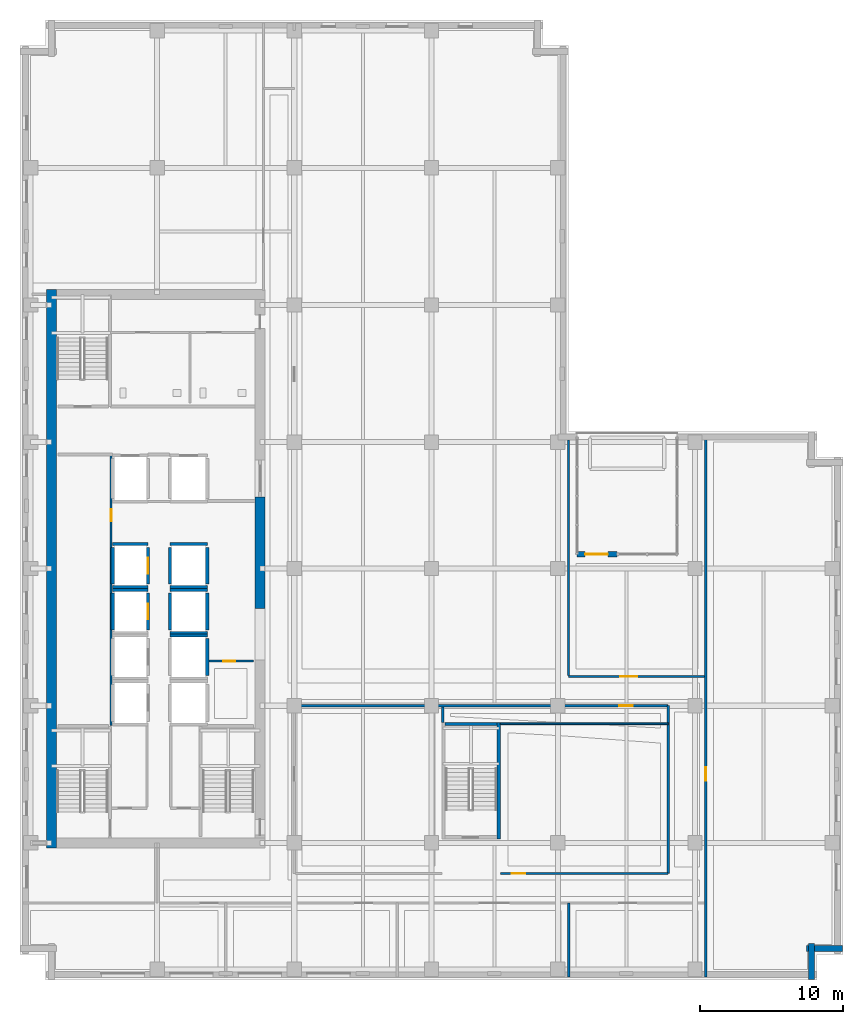
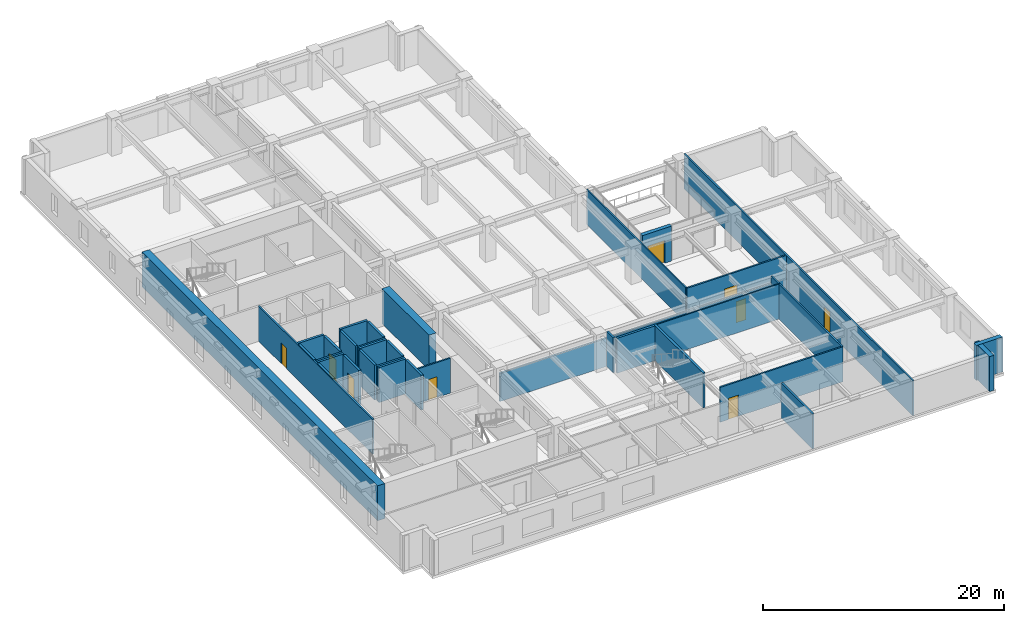
# One storey, part 5 of 16: 35 walls, 9 doors, 9 openings.
"""IFC4 building model written with IfcOpenShell, lengths in metres."""

import ifcopenshell
import ifcopenshell.guid

model = None  # the IFC model being written
_history = None  # IfcOwnerHistory: only IFC2X3 demands one
_inside = {}  # id of a spatial element -> (the spatial element, [elements in it])
_under = {}  # id of a project, library or spatial element -> (it, [spatial elements below it])
_declared = {}  # id of a project -> (the project, [libraries it declares])
_typed = {}  # id of a type object -> (the type object, [elements of that type])
_made_of = {}  # id of a material, layer set ... -> (it, [elements and type objects made of it])


def new_model(schema):
    """Start an empty IFC model of exactly this schema.

    Asked for "IFC4X3", IfcOpenShell would pick the latest addendum, in which some entities
    have other attributes; the version numbers below select the first issue.
    IFC2X3 requires an IfcOwnerHistory on every rooted entity: one is made here for all.
    """
    global model, _history
    if schema == "IFC4X3":
        model = ifcopenshell.file(schema_version=(4, 3, 0, 0))
    else:
        model = ifcopenshell.file(schema=schema)
    _inside.clear()
    _under.clear()
    _declared.clear()
    _typed.clear()
    _made_of.clear()
    _history = None
    if model.schema == "IFC2X3":
        org = make("IfcOrganization", Name="unknown")
        user = make(
            "IfcPersonAndOrganization",
            ThePerson=make("IfcPerson", FamilyName="unknown"),
            TheOrganization=org,
        )
        app = make(
            "IfcApplication",
            ApplicationDeveloper=org,
            Version="unknown",
            ApplicationFullName="unknown",
            ApplicationIdentifier="unknown",
        )
        _history = make(
            "IfcOwnerHistory",
            OwningUser=user,
            OwningApplication=app,
            ChangeAction="ADDED",
            CreationDate=0,
        )
    return model


def make(cls, **values):
    """One entity of the class cls with the attributes given. An attribute that is None is left unset."""
    return model.create_entity(
        cls, **{name: value for name, value in values.items() if value is not None}
    )


def rooted(cls, **values):
    """An entity with a GlobalId (a new one), such as an element, a storey or a relation."""
    return make(cls, GlobalId=ifcopenshell.guid.new(), OwnerHistory=_history, **values)


def si_unit(unit_type, name, prefix=None):
    """IfcSIUnit, for example si_unit("LENGTHUNIT", "METRE", prefix="MILLI")."""
    return make("IfcSIUnit", UnitType=unit_type, Prefix=prefix, Name=name)


def assignment(units):
    """IfcUnitAssignment: the units of a project."""
    return None if units is None else make("IfcUnitAssignment", Units=units)


def point(xyz):
    """IfcCartesianPoint."""
    return None if xyz is None else make("IfcCartesianPoint", Coordinates=xyz)


def direction(xyz):
    """IfcDirection."""
    return None if xyz is None else make("IfcDirection", DirectionRatios=xyz)


def frame(location, z_axis=None, x_axis=None):
    """IfcAxis2Placement3D, a coordinate frame: its origin and axes. An axis left out is left unset."""
    return make(
        "IfcAxis2Placement3D",
        Location=point(location),
        Axis=direction(z_axis),
        RefDirection=direction(x_axis),
    )


def frame_2d(location, x_axis=None):
    """IfcAxis2Placement2D, a coordinate frame in the plane: its origin and x axis."""
    return make(
        "IfcAxis2Placement2D", Location=point(location), RefDirection=direction(x_axis)
    )


def origin():
    """The frame at (0, 0, 0) with its axes left unset."""
    return frame((0.0, 0.0, 0.0))


def place(relative_to, where):
    """IfcLocalPlacement: puts the frame where relative to a parent placement (None: the world)."""
    return make(
        "IfcLocalPlacement", PlacementRelTo=relative_to, RelativePlacement=where
    )


def context(
    kind, dimensions, precision=None, world=None, true_north=None, identifier=None
):
    """IfcGeometricRepresentationContext, for example the 3D "Model" context."""
    return make(
        "IfcGeometricRepresentationContext",
        ContextIdentifier=identifier,
        ContextType=kind,
        CoordinateSpaceDimension=dimensions,
        Precision=precision,
        WorldCoordinateSystem=world,
        TrueNorth=true_north,
    )


def subcontext(parent, identifier, kind, view, scale=None):
    """IfcGeometricRepresentationSubContext, for example "Body" below "Model"."""
    return make(
        "IfcGeometricRepresentationSubContext",
        ContextIdentifier=identifier,
        ContextType=kind,
        ParentContext=parent,
        TargetScale=scale,
        TargetView=view,
    )


def project(units=None, contexts=None):
    """IfcProject with its units and contexts."""
    return rooted(
        "IfcProject",
        Name="project",
        RepresentationContexts=contexts,
        UnitsInContext=assignment(units),
    )


def spatial(cls, under=None, at=None, **own):
    """A site, building, storey or space (cls), placed at a placement, below another one or the project."""
    s = rooted(cls, ObjectPlacement=at, **own)
    if under is not None:
        _under.setdefault(under.id(), (under, []))[1].append(s)
    return s


def profile(cls, at=None, kind="AREA", **sizes):
    """A parametric profile (cls). Its sizes go by their IFC names, for example OverallWidth=200.0."""
    return make(cls, ProfileType=kind, Position=at, **sizes)


def rectangle(**sizes):
    """IfcRectangleProfileDef."""
    return profile("IfcRectangleProfileDef", **sizes)


def extrude(swept, where, along, depth):
    """IfcExtrudedAreaSolid: the profile swept, set in the frame where, extruded along a direction by depth."""
    return make(
        "IfcExtrudedAreaSolid",
        SweptArea=swept,
        Position=where,
        ExtrudedDirection=direction(along),
        Depth=depth,
    )


def shape(context_of_items, identifier, shape_type, items):
    """IfcShapeRepresentation: the items that make up one representation, for example the "Body"."""
    return make(
        "IfcShapeRepresentation",
        ContextOfItems=context_of_items,
        RepresentationIdentifier=identifier,
        RepresentationType=shape_type,
        Items=items,
    )


def material(Name=None, Category=None):
    """IfcMaterial."""
    return make("IfcMaterial", Name=Name, Category=Category)


def layer(
    of_material, thickness, ventilated=None, Name=None, Category=None, Priority=None
):
    """IfcMaterialLayer: one layer of a wall or slab, of a material (None: an air gap)."""
    return make(
        "IfcMaterialLayer",
        Material=of_material,
        LayerThickness=thickness,
        IsVentilated=ventilated,
        Name=Name,
        Category=Category,
        Priority=Priority,
    )


def layer_set(layers, Name=None):
    """IfcMaterialLayerSet."""
    return make("IfcMaterialLayerSet", MaterialLayers=layers, LayerSetName=Name)


def made_of(thing, what):
    """Note that an element or type object is made of a material, layer set ...; save() writes the relation."""
    if what is not None:
        _made_of.setdefault(what.id(), (what, []))[1].append(thing)
    return thing


def type_object(cls, material=None, **own):
    """A type object (cls), such as IfcWallType, which elements share."""
    return made_of(rooted(cls, **own), material)


def element(
    cls,
    number,
    at=None,
    inside=None,
    cuts=None,
    type_object=None,
    material=None,
    context=None,
    identifier="Body",
    shape_type=None,
    held_by="IfcProductDefinitionShape",
    body=None,
    shapes=None,
    **own,
):
    """One element of the class cls, such as IfcWall. Its Tag is "e" and its number.

    at: its placement. inside: the storey or other place that contains it. cuts: it is an
    opening in that element (IfcRelVoidsElement). A single representation is given by context,
    identifier, shape_type and body (its items); several are given by shapes. held_by: the class
    of the entity that holds the representations. save() writes the other relations.
    """
    e = rooted(cls, Tag="e%d" % number, ObjectPlacement=at, **own)
    if body is not None:
        shapes = [shape(context, identifier, shape_type, body)]
    if shapes is not None:
        e.Representation = make(held_by, Representations=shapes)
    if inside is not None:
        _inside.setdefault(inside.id(), (inside, []))[1].append(e)
    if cuts is not None:
        rooted(
            "IfcRelVoidsElement", RelatingBuildingElement=cuts, RelatedOpeningElement=e
        )
    if type_object is not None:
        _typed.setdefault(type_object.id(), (type_object, []))[1].append(e)
    return made_of(e, material)


def fill(opening, filler):
    """IfcRelFillsElement: the door or window that sits in an opening."""
    return rooted(
        "IfcRelFillsElement",
        RelatingOpeningElement=opening,
        RelatedBuildingElement=filler,
    )


def aggregate(whole, parts):
    """IfcRelAggregates: a whole, such as a stair, and the parts it consists of."""
    return rooted("IfcRelAggregates", RelatingObject=whole, RelatedObjects=parts)


def save(model, path):
    """Write the relations noted so far, then the file.

    IfcRelAggregates (storeys below a building ...), IfcRelContainedInSpatialStructure (elements
    in a storey), IfcRelDefinesByType, IfcRelAssociatesMaterial and IfcRelDeclares: one each for
    every whole, place, type object, material and project.
    """
    for whole, parts in _under.values():
        aggregate(whole, parts)
    for where, things in _inside.values():
        rooted(
            "IfcRelContainedInSpatialStructure",
            RelatedElements=things,
            RelatingStructure=where,
        )
    for kind, things in _typed.values():
        rooted("IfcRelDefinesByType", RelatedObjects=things, RelatingType=kind)
    for what, things in _made_of.values():
        rooted("IfcRelAssociatesMaterial", RelatedObjects=things, RelatingMaterial=what)
    for by, libraries in _declared.values():
        rooted("IfcRelDeclares", RelatingContext=by, RelatedDefinitions=libraries)
    model.write(path)


model = new_model("IFC4")

# Units and contexts
model_context = context("Model", 3, precision=1e-05, world=origin(), true_north=direction((0.0, 1.0)))
body_context = subcontext(model_context, "Body", "Model", "MODEL_VIEW")
ifc_project = project(units=[si_unit("LENGTHUNIT", "METRE"), si_unit("AREAUNIT", "SQUARE_METRE"), si_unit("VOLUMEUNIT", "CUBIC_METRE"), si_unit("PLANEANGLEUNIT", "RADIAN"), si_unit("MASSUNIT", "GRAM", prefix="KILO")], contexts=[model_context])

# Site, building, storey
site_placement = place(None, origin())
site = spatial("IfcSite", under=ifc_project, at=site_placement, CompositionType="ELEMENT")
building_placement = place(site_placement, origin())
building = spatial("IfcBuilding", under=site, at=building_placement, Name="Norrvale University Quadrangle", CompositionType="ELEMENT")
storey_placement = place(building_placement, frame((0.0, 0.0, 112.800048828125)))
storey = spatial("IfcBuildingStorey", under=building, at=storey_placement, Name="L28", CompositionType="ELEMENT", Elevation=112.800048828125)

# Walls
ifc_material_1 = material(Name="Buff Norman Clay Brick Masonry", Category="masonry")
ifc_layer_1 = layer(ifc_material_1, 0.419921875, Name="Buff Norman Clay Brick Masonry")
ifc_layer_set_1 = layer_set([ifc_layer_1], Name="Buff Norman Clay Brick Masonry")
wall_type_1 = type_object("IfcWallType", Name="Wall Buff Brick 420", PredefinedType="SOLIDWALL", material=ifc_layer_set_1)
for number, where, z_axis, x_axis, name in (
    (1, (55.409912109375, 0.0400390625, 0.0), (0.0, 0.0, 1.0), (0.0, 1.0, 0.0), "Exterior Brick Facade Wall L28-02.1"),
    (2, (55.06005859375, 2.18994140625, 0.0), (0.0, 0.0, 1.0), (1.0, 0.0, 0.0), "Exterior Brick Facade Wall L28-03.1"),
):
    element("IfcWall", number, at=place(storey_placement, frame(where, z_axis=z_axis, x_axis=x_axis)), inside=storey, type_object=wall_type_1, Name=name, PredefinedType="SOLIDWALL", context=body_context, shape_type="SweptSolid", body=[
        extrude(rectangle(XDim=2.5, YDim=0.419921875, at=frame_2d((1.25, 0.0))), origin(), (0.0, 0.0, 1.0), 3.5400390625),
    ])

# Wall, opening, door
wall_1_placement = place(storey_placement, frame((39.0, 29.800048828125, 0.0), z_axis=(0.0, 0.0, 1.0), x_axis=(1.0, 0.0, 0.0)))
wall_1 = element("IfcWall", 3, at=wall_1_placement, inside=storey, type_object=wall_type_1, Name="Sky Garden Loggia Access Wall L28", PredefinedType="SOLIDWALL", context=body_context, shape_type="SweptSolid", body=[
    extrude(rectangle(XDim=2.800048828125, YDim=0.360107421875, at=frame_2d((1.39990234375, 0.0))), origin(), (0.0, 0.0, 1.0), 3.5400390625),
])
opening_1_placement = place(wall_1_placement, frame((0.550048828125, 0.0, 0.0)))
opening_1 = element("IfcOpeningElement", 4, at=opening_1_placement, cuts=wall_1, Name="Opening D09", PredefinedType="OPENING", context=body_context, shape_type="SweptSolid", body=[
    extrude(rectangle(XDim=1.60009765625, YDim=2.300048828125, at=frame_2d((0.800048828125, 1.14990234375))), frame((0.0, 0.192138671875, 0.0), z_axis=(0.0, -1.0, 0.0), x_axis=(1.0, 0.0, 0.0)), (0.0, 0.0, 1.0), 0.384033203125),
])
ifc_material_2 = material(Name="Thermally Broken Glazed Terrace Door")
door_type_1 = type_object("IfcDoorType", Name="Door Terrace 1600x2300", OperationType="DOUBLE_SWING_LEFT", PredefinedType="DOOR", material=ifc_material_2)
door_1_placement = place(opening_1_placement, origin())
door_1 = element("IfcDoor", 5, at=door_1_placement, inside=storey, type_object=door_type_1, Name="Door Terrace 1600x2300 DR-L28-SKYG", OperationType="DOUBLE_SWING_LEFT", OverallHeight=2.300048828125, OverallWidth=1.60009765625, PredefinedType="DOOR", context=body_context, shape_type="SweptSolid", body=[
    extrude(rectangle(XDim=1.60009765625, YDim=2.300048828125, at=frame_2d((0.800048828125, 1.14990234375))), frame((0.0, 0.02490234375, 0.0), z_axis=(0.0, -1.0, 0.0), x_axis=(1.0, 0.0, 0.0)), (0.0, 0.0, 1.0), 0.050048828125),
])
fill(opening_1, door_1)

# Walls
ifc_material_3 = material(Name="Concrete C60/75", Category="concrete")
ifc_layer_2 = layer(ifc_material_3, 0.699951171875, Name="Concrete C60/75")
ifc_layer_set_2 = layer_set([ifc_layer_2], Name="Concrete C60/75")
wall_type_2 = type_object("IfcWallType", Name="Wall Core 700", PredefinedType="SHEAR", material=ifc_layer_set_2)
wall_2_placement = place(storey_placement, frame((2.199951171875, 9.25, 0.0), z_axis=(0.0, 0.0, 1.0), x_axis=(0.0, 1.0, 0.0)))
element("IfcWall", 6, at=wall_2_placement, inside=storey, type_object=wall_type_2, Name="Tower Core Shear Wall L28-W", PredefinedType="SHEAR", context=body_context, shape_type="SweptSolid", body=[
    extrude(rectangle(XDim=39.10009765625, YDim=0.699951171875, at=frame_2d((19.550048828125, 0.0))), origin(), (0.0, 0.0, 1.0), 3.5400390625),
])
wall_3_placement = place(storey_placement, frame((16.800048828125, 26.0, 0.0), z_axis=(0.0, 0.0, 1.0), x_axis=(0.0, 1.0, 0.0)))
element("IfcWall", 7, at=wall_3_placement, inside=storey, type_object=wall_type_2, Name="Tower Core Shear Wall L28-E2", PredefinedType="SHEAR", context=body_context, shape_type="SweptSolid", body=[
    extrude(rectangle(XDim=7.800048828125, YDim=0.699951171875, at=frame_2d((3.89990234375, 0.0))), origin(), (0.0, 0.0, 1.0), 3.5400390625),
])
ifc_material_4 = material(Name="Standard Academic Gypsum Partition")
ifc_layer_3 = layer(ifc_material_4, 0.125, Name="Standard Academic Gypsum Partition")
ifc_layer_set_3 = layer_set([ifc_layer_3], Name="Standard Academic Gypsum Partition")
wall_type_3 = type_object("IfcWallType", Name="Wall Gypsum Academic 125", PredefinedType="PARTITIONING", material=ifc_layer_set_3)
wall_4_placement = place(storey_placement, frame((33.6201171875, 17.93994140625, 0.0), z_axis=(0.0, 0.0, 1.0), x_axis=(1.0, 0.0, 0.0)))
element("IfcWall", 8, at=wall_4_placement, inside=storey, type_object=wall_type_3, Name="Interior Partition WL-L28-ISLH", PredefinedType="PARTITIONING", context=body_context, shape_type="SweptSolid", body=[
    extrude(rectangle(XDim=11.7548828125, YDim=0.125, at=frame_2d((5.87744140625, 0.0))), origin(), (0.0, 0.0, 1.0), 3.5400390625),
])
wall_5_placement = place(storey_placement, frame((38.39990234375, 21.330078125, 0.0), z_axis=(0.0, 0.0, 1.0), x_axis=(0.0, 1.0, 0.0)))
element("IfcWall", 9, at=wall_5_placement, inside=storey, type_object=wall_type_3, Name="Interior Partition WL-L28-SGL-W", PredefinedType="PARTITIONING", context=body_context, shape_type="SweptSolid", body=[
    extrude(rectangle(XDim=16.4599609375, YDim=0.125, at=frame_2d((8.22998046875, 0.0))), origin(), (0.0, 0.0, 1.0), 3.5400390625),
])

# Wall, opening, door
ifc_material_5 = material(Name="Fire-Rated Gypsum Stud Partition")
ifc_layer_4 = layer(ifc_material_5, 0.14990234375, Name="Fire-Rated Gypsum Stud Partition")
ifc_layer_set_4 = layer_set([ifc_layer_4], Name="Fire-Rated Gypsum Stud Partition")
wall_type_4 = type_object("IfcWallType", Name="Wall Gypsum Corridor 150", PredefinedType="PARTITIONING", material=ifc_layer_set_4)
wall_6_placement = place(storey_placement, frame((13.22509765625, 22.320068359375, 0.0), z_axis=(0.0, 0.0, 1.0), x_axis=(1.0, 0.0, 0.0)))
wall_6 = element("IfcWall", 10, at=wall_6_placement, inside=storey, type_object=wall_type_4, Name="Interior Partition WL-L28-JAN-N", PredefinedType="PARTITIONING", context=body_context, shape_type="SweptSolid", body=[
    extrude(rectangle(XDim=3.119873046875, YDim=0.14990234375, at=frame_2d((1.56005859375, 0.0))), origin(), (0.0, 0.0, 1.0), 3.5400390625),
])
opening_2_placement = place(wall_6_placement, frame((1.0, 0.0, 0.0)))
opening_2 = element("IfcOpeningElement", 11, at=opening_2_placement, cuts=wall_6, Name="Opening D10", PredefinedType="OPENING", context=body_context, shape_type="SweptSolid", body=[
    extrude(rectangle(XDim=0.85009765625, YDim=2.10009765625, at=frame_2d((0.425048828125, 1.050048828125))), frame((0.0, 0.0869140625, 0.0), z_axis=(0.0, -1.0, 0.0), x_axis=(1.0, 0.0, 0.0)), (0.0, 0.0, 1.0), 0.173828125),
])
ifc_material_6 = material(Name="Hollow Steel 350W Riser Fire Door", Category="steel")
door_type_2 = type_object("IfcDoorType", Name="Door Riser 850x2100", OperationType="NOTDEFINED", PredefinedType="DOOR", material=ifc_material_6)
door_2_placement = place(opening_2_placement, origin())
door_2 = element("IfcDoor", 12, at=door_2_placement, inside=storey, type_object=door_type_2, Name="Door Riser 850x2100 DR-L28-JAN", OperationType="SINGLE_SWING_LEFT", OverallHeight=2.10009765625, OverallWidth=0.85009765625, PredefinedType="DOOR", context=body_context, shape_type="SweptSolid", body=[
    extrude(rectangle(XDim=0.85009765625, YDim=2.10009765625, at=frame_2d((0.425048828125, 1.050048828125))), frame((0.0, 0.02490234375, 0.0), z_axis=(0.0, -1.0, 0.0), x_axis=(1.0, 0.0, 0.0)), (0.0, 0.0, 1.0), 0.050048828125),
])
fill(opening_2, door_2)

wall_7_placement = place(storey_placement, frame((6.3798828125, 17.800048828125, 0.0), z_axis=(0.0, 0.0, 1.0), x_axis=(0.0, 1.0, 0.0)))
wall_7 = element("IfcWall", 13, at=wall_7_placement, inside=storey, type_object=wall_type_4, Name="Interior Partition WL-L28-WME-E", PredefinedType="PARTITIONING", context=body_context, shape_type="SweptSolid", body=[
    extrude(rectangle(XDim=18.97998046875, YDim=0.14990234375, at=frame_2d((9.489990234375, 0.0))), origin(), (0.0, 0.0, 1.0), 3.5400390625),
])
opening_3_placement = place(wall_7_placement, frame((14.300048828125, 0.0, 0.0)))
opening_3 = element("IfcOpeningElement", 14, at=opening_3_placement, cuts=wall_7, Name="Opening D10", PredefinedType="OPENING", context=body_context, shape_type="SweptSolid", body=[
    extrude(rectangle(XDim=0.85009765625, YDim=2.10009765625, at=frame_2d((0.425048828125, 1.050048828125))), frame((0.0, 0.0869140625, 0.0), z_axis=(0.0, -1.0, 0.0), x_axis=(1.0, 0.0, 0.0)), (0.0, 0.0, 1.0), 0.173828125),
])
door_3_placement = place(opening_3_placement, origin())
door_3 = element("IfcDoor", 15, at=door_3_placement, inside=storey, type_object=door_type_2, Name="Door Riser 850x2100 DR-L28-WME", OperationType="SINGLE_SWING_LEFT", OverallHeight=2.10009765625, OverallWidth=0.85009765625, PredefinedType="DOOR", context=body_context, shape_type="SweptSolid", body=[
    extrude(rectangle(XDim=0.85009765625, YDim=2.10009765625, at=frame_2d((0.425048828125, 1.050048828125))), frame((0.0, 0.02490234375, 0.0), z_axis=(0.0, -1.0, 0.0), x_axis=(1.0, 0.0, 0.0)), (0.0, 0.0, 1.0), 0.050048828125),
])
fill(opening_3, door_3)

wall_8_placement = place(storey_placement, frame((48.0, 0.219970703125, 0.0), z_axis=(0.0, 0.0, 1.0), x_axis=(0.0, 1.0, 0.0)))
wall_8 = element("IfcWall", 16, at=wall_8_placement, inside=storey, type_object=wall_type_4, Name="Interior Partition WL-L28-ECW", PredefinedType="PARTITIONING", context=body_context, shape_type="SweptSolid", body=[
    extrude(rectangle(XDim=37.9599609375, YDim=0.14990234375, at=frame_2d((18.97998046875, 0.0))), origin(), (0.0, 0.0, 1.0), 3.5400390625),
])
opening_4_placement = place(wall_8_placement, frame((13.72998046875, 0.0, 0.0)))
opening_4 = element("IfcOpeningElement", 17, at=opening_4_placement, cuts=wall_8, Name="Opening D07", PredefinedType="OPENING", context=body_context, shape_type="SweptSolid", body=[
    extrude(rectangle(XDim=0.949951171875, YDim=2.14990234375, at=frame_2d((0.47509765625, 1.074951171875))), frame((0.0, 0.0869140625, 0.0), z_axis=(0.0, -1.0, 0.0), x_axis=(1.0, 0.0, 0.0)), (0.0, 0.0, 1.0), 0.173828125),
])
ifc_material_7 = material(Name="Solid-Core Maple Door", Category="wood")
door_type_3 = type_object("IfcDoorType", Name="Door Office 950x2150", OperationType="NOTDEFINED", PredefinedType="DOOR", material=ifc_material_7)
door_4_placement = place(opening_4_placement, origin())
door_4 = element("IfcDoor", 18, at=door_4_placement, inside=storey, type_object=door_type_3, Name="Door Office 950x2150 DR-L28-E01", OperationType="SINGLE_SWING_RIGHT", OverallHeight=2.14990234375, OverallWidth=0.949951171875, PredefinedType="DOOR", context=body_context, shape_type="SweptSolid", body=[
    extrude(rectangle(XDim=0.949951171875, YDim=2.14990234375, at=frame_2d((0.47509765625, 1.074951171875))), frame((0.0, 0.02490234375, 0.0), z_axis=(0.0, -1.0, 0.0), x_axis=(1.0, 0.0, 0.0)), (0.0, 0.0, 1.0), 0.050048828125),
])
fill(opening_4, door_4)

wall_9_placement = place(storey_placement, frame((33.6201171875, 7.449951171875, 0.0), z_axis=(0.0, 0.0, 1.0), x_axis=(1.0, 0.0, 0.0)))
wall_9 = element("IfcWall", 19, at=wall_9_placement, inside=storey, type_object=wall_type_4, Name="Interior Partition WL-L28-ISLS2", PredefinedType="PARTITIONING", context=body_context, shape_type="SweptSolid", body=[
    extrude(rectangle(XDim=11.7548828125, YDim=0.14990234375, at=frame_2d((5.87744140625, 0.0))), origin(), (0.0, 0.0, 1.0), 3.5400390625),
])
opening_5_placement = place(wall_9_placement, frame((0.800048828125, 0.0, 0.0)))
opening_5 = element("IfcOpeningElement", 20, at=opening_5_placement, cuts=wall_9, Name="Opening D07", PredefinedType="OPENING", context=body_context, shape_type="SweptSolid", body=[
    extrude(rectangle(XDim=0.949951171875, YDim=2.14990234375, at=frame_2d((0.47509765625, 1.074951171875))), frame((0.0, 0.0869140625, 0.0), z_axis=(0.0, -1.0, 0.0), x_axis=(1.0, 0.0, 0.0)), (0.0, 0.0, 1.0), 0.173828125),
])
door_5_placement = place(opening_5_placement, origin())
door_5 = element("IfcDoor", 21, at=door_5_placement, inside=storey, type_object=door_type_3, Name="Door Office 950x2150 DR-L28-ISE", OperationType="SINGLE_SWING_LEFT", OverallHeight=2.14990234375, OverallWidth=0.949951171875, PredefinedType="DOOR", context=body_context, shape_type="SweptSolid", body=[
    extrude(rectangle(XDim=0.949951171875, YDim=2.14990234375, at=frame_2d((0.47509765625, 1.074951171875))), frame((0.0, 0.02490234375, 0.0), z_axis=(0.0, -1.0, 0.0), x_axis=(1.0, 0.0, 0.0)), (0.0, 0.0, 1.0), 0.050048828125),
])
fill(opening_5, door_5)

# Wall
wall_10_placement = place(storey_placement, frame((45.375, 7.449951171875, 0.0), z_axis=(0.0, 0.0, 1.0), x_axis=(0.0, 1.0, 0.0)))
element("IfcWall", 22, at=wall_10_placement, inside=storey, type_object=wall_type_4, Name="Interior Partition WL-L28-ISLE", PredefinedType="PARTITIONING", context=body_context, shape_type="SweptSolid", body=[
    extrude(rectangle(XDim=11.75, YDim=0.14990234375, at=frame_2d((5.875, 0.0))), origin(), (0.0, 0.0, 1.0), 3.5400390625),
])

# Wall, opening, door
wall_11_placement = place(storey_placement, frame((38.39990234375, 21.25, 0.0), z_axis=(0.0, 0.0, 1.0), x_axis=(1.0, 0.0, 0.0)))
wall_11 = element("IfcWall", 23, at=wall_11_placement, inside=storey, type_object=wall_type_4, Name="Interior Partition WL-L28-SGL-S", PredefinedType="PARTITIONING", context=body_context, shape_type="SweptSolid", body=[
    extrude(rectangle(XDim=9.52001953125, YDim=0.14990234375, at=frame_2d((4.760009765625, 0.0))), origin(), (0.0, 0.0, 1.0), 3.5400390625),
])
opening_6_placement = place(wall_11_placement, frame((3.60009765625, 0.0, 0.0)))
opening_6 = element("IfcOpeningElement", 24, at=opening_6_placement, cuts=wall_11, Name="Opening D05", PredefinedType="OPENING", context=body_context, shape_type="SweptSolid", body=[
    extrude(rectangle(XDim=1.199951171875, YDim=2.199951171875, at=frame_2d((0.60009765625, 1.10009765625))), frame((0.0, 0.0869140625, 0.0), z_axis=(0.0, -1.0, 0.0), x_axis=(1.0, 0.0, 0.0)), (0.0, 0.0, 1.0), 0.173828125),
])
ifc_material_8 = material(Name="Acoustic Oak Classroom Door", Category="wood")
door_type_4 = type_object("IfcDoorType", Name="Door Classroom 1200x2200", OperationType="NOTDEFINED", PredefinedType="DOOR", material=ifc_material_8)
door_6_placement = place(opening_6_placement, origin())
door_6 = element("IfcDoor", 25, at=door_6_placement, inside=storey, type_object=door_type_4, Name="Door Classroom 1200x2200 DR-L28-SGLNG", OperationType="SINGLE_SWING_LEFT", OverallHeight=2.199951171875, OverallWidth=1.199951171875, PredefinedType="DOOR", context=body_context, shape_type="SweptSolid", body=[
    extrude(rectangle(XDim=1.199951171875, YDim=2.199951171875, at=frame_2d((0.60009765625, 1.10009765625))), frame((0.0, 0.02490234375, 0.0), z_axis=(0.0, -1.0, 0.0), x_axis=(1.0, 0.0, 0.0)), (0.0, 0.0, 1.0), 0.050048828125),
])
fill(opening_6, door_6)

# Walls
ifc_material_9 = material(Name="Acoustic Double-Stud Gypsum Partition")
ifc_layer_5 = layer(ifc_material_9, 0.179931640625, Name="Acoustic Double-Stud Gypsum Partition")
ifc_layer_set_5 = layer_set([ifc_layer_5], Name="Acoustic Double-Stud Gypsum Partition")
wall_type_5 = type_object("IfcWallType", Name="Wall Gypsum Lecture 180", PredefinedType="PARTITIONING", material=ifc_layer_set_5)
wall_12_placement = place(storey_placement, frame((38.39990234375, 0.219970703125, 0.0), z_axis=(0.0, 0.0, 1.0), x_axis=(0.0, 1.0, 0.0)))
element("IfcWall", 26, at=wall_12_placement, inside=storey, type_object=wall_type_5, Name="Interior Partition WL-L28-SP03", PredefinedType="PARTITIONING", context=body_context, shape_type="SweptSolid", body=[
    extrude(rectangle(XDim=5.179931640625, YDim=0.179931640625, at=frame_2d((2.58984375, 0.0))), origin(), (0.0, 0.0, 1.0), 3.5400390625),
])
wall_13_placement = place(storey_placement, frame((29.580078125, 18.02490234375, 0.0), z_axis=(0.0, 0.0, 1.0), x_axis=(0.0, 1.0, 0.0)))
element("IfcWall", 27, at=wall_13_placement, inside=storey, type_object=wall_type_5, Name="Interior Partition WL-L28-ISLD", PredefinedType="PARTITIONING", context=body_context, shape_type="SweptSolid", body=[
    extrude(rectangle(XDim=1.080078125, YDim=0.179931640625, at=frame_2d((0.5400390625, 0.0))), origin(), (0.0, 0.0, 1.0), 3.5400390625),
])

# Wall, opening, door
wall_14_placement = place(storey_placement, frame((19.280029296875, 19.199951171875, 0.0), z_axis=(0.0, 0.0, 1.0), x_axis=(1.0, 0.0, 0.0)))
wall_14 = element("IfcWall", 28, at=wall_14_placement, inside=storey, type_object=wall_type_5, Name="Interior Partition WL-L28-ISLN", PredefinedType="PARTITIONING", context=body_context, shape_type="SweptSolid", body=[
    extrude(rectangle(XDim=26.094970703125, YDim=0.179931640625, at=frame_2d((13.04736328125, 0.0))), origin(), (0.0, 0.0, 1.0), 2.844970703125),
])
opening_7_placement = place(wall_14_placement, frame((22.669921875, 0.0, 0.0)))
opening_7 = element("IfcOpeningElement", 29, at=opening_7_placement, cuts=wall_14, Name="Opening D07", PredefinedType="OPENING", context=body_context, shape_type="SweptSolid", body=[
    extrude(rectangle(XDim=0.949951171875, YDim=2.14990234375, at=frame_2d((0.47509765625, 1.074951171875))), frame((0.0, 0.10205078125, 0.0), z_axis=(0.0, -1.0, 0.0), x_axis=(1.0, 0.0, 0.0)), (0.0, 0.0, 1.0), 0.203857421875),
])
door_7_placement = place(opening_7_placement, origin())
door_7 = element("IfcDoor", 30, at=door_7_placement, inside=storey, type_object=door_type_3, Name="Door Office 950x2150 DR-L28-ILH", OperationType="SINGLE_SWING_RIGHT", OverallHeight=2.14990234375, OverallWidth=0.949951171875, PredefinedType="DOOR", context=body_context, shape_type="SweptSolid", body=[
    extrude(rectangle(XDim=0.949951171875, YDim=2.14990234375, at=frame_2d((0.47509765625, 1.074951171875))), frame((0.0, 0.02490234375, 0.0), z_axis=(0.0, -1.0, 0.0), x_axis=(1.0, 0.0, 0.0)), (0.0, 0.0, 1.0), 0.050048828125),
])
fill(opening_7, door_7)

# Walls
ifc_material_10 = material(Name="Concrete Blockwork 20 MPa Fire Shaft", Category="masonry")
ifc_layer_6 = layer(ifc_material_10, 0.219970703125, Name="Concrete Blockwork 20 MPa Fire Shaft")
ifc_layer_set_6 = layer_set([ifc_layer_6], Name="Concrete Blockwork 20 MPa Fire Shaft")
wall_type_6 = type_object("IfcWallType", Name="Wall Shaft 220", PredefinedType="SOLIDWALL", material=ifc_layer_set_6)
wall_15_placement = place(storey_placement, frame((33.510009765625, 9.8798828125, 0.0), z_axis=(0.0, 0.0, 1.0), x_axis=(0.0, 1.0, 0.0)))
element("IfcWall", 31, at=wall_15_placement, inside=storey, type_object=wall_type_6, Name="Stair ST-04 East Shaft Wall L28", PredefinedType="SOLIDWALL", context=body_context, shape_type="SweptSolid", body=[
    extrude(rectangle(XDim=8.14013671875, YDim=0.219970703125, at=frame_2d((4.070068359375, 0.0))), origin(), (0.0, 0.0, 1.0), 3.5400390625),
])
wall_16_placement = place(storey_placement, frame((29.75, 17.909912109375, 0.0), z_axis=(0.0, 0.0, 1.0), x_axis=(1.0, 0.0, 0.0)))
element("IfcWall", 32, at=wall_16_placement, inside=storey, type_object=wall_type_6, Name="Stair ST-04 North Shaft Wall L28", PredefinedType="SOLIDWALL", context=body_context, shape_type="SweptSolid", body=[
    extrude(rectangle(XDim=3.64990234375, YDim=0.219970703125, at=frame_2d((1.824951171875, 0.0))), origin(), (0.0, 0.0, 1.0), 3.5400390625),
])
wall_17_placement = place(storey_placement, frame((6.489990234375, 24.510009765625, 0.0), z_axis=(0.0, 0.0, 1.0), x_axis=(0.0, 1.0, 0.0)))
element("IfcWall", 33, at=wall_17_placement, inside=storey, type_object=wall_type_6, Name="Hoistway PL-03 West Wall L28", PredefinedType="SOLIDWALL", context=body_context, shape_type="SweptSolid", body=[
    extrude(rectangle(XDim=2.580078125, YDim=0.219970703125, at=frame_2d((1.2900390625, 0.0))), origin(), (0.0, 0.0, 1.0), 3.5400390625),
])

# Wall, opening, door
wall_18_placement = place(storey_placement, frame((8.9599609375, 24.510009765625, 0.0), z_axis=(0.0, 0.0, 1.0), x_axis=(0.0, 1.0, 0.0)))
wall_18 = element("IfcWall", 34, at=wall_18_placement, inside=storey, type_object=wall_type_6, Name="Hoistway PL-03 East Wall L28", PredefinedType="SOLIDWALL", context=body_context, shape_type="SweptSolid", body=[
    extrude(rectangle(XDim=2.580078125, YDim=0.219970703125, at=frame_2d((1.2900390625, 0.0))), origin(), (0.0, 0.0, 1.0), 3.5400390625),
])
opening_8_placement = place(wall_18_placement, frame((0.739990234375, 0.0, 0.0)))
opening_8 = element("IfcOpeningElement", 35, at=opening_8_placement, cuts=wall_18, Name="Opening LD1", PredefinedType="OPENING", context=body_context, shape_type="SweptSolid", body=[
    extrude(rectangle(XDim=1.10009765625, YDim=2.199951171875, at=frame_2d((0.550048828125, 1.10009765625))), frame((0.0, 0.1220703125, 0.0), z_axis=(0.0, -1.0, 0.0), x_axis=(1.0, 0.0, 0.0)), (0.0, 0.0, 1.0), 0.243896484375),
])
ifc_material_11 = material(Name="Stainless Steel 316L Lift Landing Door", Category="steel")
door_type_5 = type_object("IfcDoorType", Name="Door Lift Landing 1100x2200", OperationType="DOUBLE_DOOR_SLIDING", PredefinedType="DOOR", material=ifc_material_11)
door_8_placement = place(opening_8_placement, origin())
door_8 = element("IfcDoor", 36, at=door_8_placement, inside=storey, type_object=door_type_5, Name="Elevator Landing Door DR-L28-PL-03", OperationType="DOUBLE_DOOR_SLIDING", OverallHeight=2.199951171875, OverallWidth=1.10009765625, PredefinedType="DOOR", context=body_context, shape_type="SweptSolid", body=[
    extrude(rectangle(XDim=1.10009765625, YDim=2.199951171875, at=frame_2d((0.550048828125, 1.10009765625))), frame((0.0, 0.02490234375, 0.0), z_axis=(0.0, -1.0, 0.0), x_axis=(1.0, 0.0, 0.0)), (0.0, 0.0, 1.0), 0.050048828125),
])
fill(opening_8, door_8)

# Walls
wall_19_placement = place(storey_placement, frame((6.489990234375, 27.31005859375, 0.0), z_axis=(0.0, 0.0, 1.0), x_axis=(1.0, 0.0, 0.0)))
element("IfcWall", 37, at=wall_19_placement, inside=storey, type_object=wall_type_6, Name="Hoistway PL-03 North Wall L28", PredefinedType="SOLIDWALL", context=body_context, shape_type="SweptSolid", body=[
    extrude(rectangle(XDim=2.469970703125, YDim=0.219970703125, at=frame_2d((1.23486328125, 0.0))), origin(), (0.0, 0.0, 1.0), 3.5400390625),
])
wall_20_placement = place(storey_placement, frame((6.489990234375, 27.7099609375, 0.0), z_axis=(0.0, 0.0, 1.0), x_axis=(0.0, 1.0, 0.0)))
element("IfcWall", 38, at=wall_20_placement, inside=storey, type_object=wall_type_6, Name="Hoistway PL-04 West Wall L28", PredefinedType="SOLIDWALL", context=body_context, shape_type="SweptSolid", body=[
    extrude(rectangle(XDim=2.580078125, YDim=0.219970703125, at=frame_2d((1.2900390625, 0.0))), origin(), (0.0, 0.0, 1.0), 3.5400390625),
])

# Wall, opening, door
wall_21_placement = place(storey_placement, frame((8.9599609375, 27.7099609375, 0.0), z_axis=(0.0, 0.0, 1.0), x_axis=(0.0, 1.0, 0.0)))
wall_21 = element("IfcWall", 39, at=wall_21_placement, inside=storey, type_object=wall_type_6, Name="Hoistway PL-04 East Wall L28", PredefinedType="SOLIDWALL", context=body_context, shape_type="SweptSolid", body=[
    extrude(rectangle(XDim=2.580078125, YDim=0.219970703125, at=frame_2d((1.2900390625, 0.0))), origin(), (0.0, 0.0, 1.0), 3.5400390625),
])
opening_9_placement = place(wall_21_placement, frame((0.739990234375, 0.0, 0.0)))
opening_9 = element("IfcOpeningElement", 40, at=opening_9_placement, cuts=wall_21, Name="Opening LD1", PredefinedType="OPENING", context=body_context, shape_type="SweptSolid", body=[
    extrude(rectangle(XDim=1.10009765625, YDim=2.199951171875, at=frame_2d((0.550048828125, 1.10009765625))), frame((0.0, 0.1220703125, 0.0), z_axis=(0.0, -1.0, 0.0), x_axis=(1.0, 0.0, 0.0)), (0.0, 0.0, 1.0), 0.243896484375),
])
door_9_placement = place(opening_9_placement, origin())
door_9 = element("IfcDoor", 41, at=door_9_placement, inside=storey, type_object=door_type_5, Name="Elevator Landing Door DR-L28-PL-04", OperationType="DOUBLE_DOOR_SLIDING", OverallHeight=2.199951171875, OverallWidth=1.10009765625, PredefinedType="DOOR", context=body_context, shape_type="SweptSolid", body=[
    extrude(rectangle(XDim=1.10009765625, YDim=2.199951171875, at=frame_2d((0.550048828125, 1.10009765625))), frame((0.0, 0.02490234375, 0.0), z_axis=(0.0, -1.0, 0.0), x_axis=(1.0, 0.0, 0.0)), (0.0, 0.0, 1.0), 0.050048828125),
])
fill(opening_9, door_9)

# Walls
for number, where, z_axis, x_axis, name in (
    (42, (6.489990234375, 27.489990234375, 0.0), (0.0, 0.0, 1.0), (1.0, 0.0, 0.0), "Hoistway PL-04 South Wall L28"),
    (43, (6.489990234375, 30.510009765625, 0.0), (0.0, 0.0, 1.0), (1.0, 0.0, 0.0), "Hoistway PL-04 North Wall L28"),
):
    element("IfcWall", number, at=place(storey_placement, frame(where, z_axis=z_axis, x_axis=x_axis)), inside=storey, type_object=wall_type_6, Name=name, PredefinedType="SOLIDWALL", context=body_context, shape_type="SweptSolid", body=[
        extrude(rectangle(XDim=2.469970703125, YDim=0.219970703125, at=frame_2d((1.23486328125, 0.0))), origin(), (0.0, 0.0, 1.0), 3.5400390625),
    ])
wall_22_placement = place(storey_placement, frame((13.110107421875, 21.31005859375, 0.0), z_axis=(0.0, 0.0, 1.0), x_axis=(0.0, 1.0, 0.0)))
element("IfcWall", 44, at=wall_22_placement, inside=storey, type_object=wall_type_6, Name="Hoistway PL-06 East Wall L28", PredefinedType="SOLIDWALL", context=body_context, shape_type="SweptSolid", body=[
    extrude(rectangle(XDim=2.579833984375, YDim=0.219970703125, at=frame_2d((1.2900390625, 0.0))), origin(), (0.0, 0.0, 1.0), 3.5400390625),
])
wall_23_placement = place(storey_placement, frame((10.489990234375, 24.110107421875, 0.0), z_axis=(0.0, 0.0, 1.0), x_axis=(1.0, 0.0, 0.0)))
element("IfcWall", 45, at=wall_23_placement, inside=storey, type_object=wall_type_6, Name="Hoistway PL-06 North Wall L28", PredefinedType="SOLIDWALL", context=body_context, shape_type="SweptSolid", body=[
    extrude(rectangle(XDim=2.6201171875, YDim=0.219970703125, at=frame_2d((1.31005859375, 0.0))), origin(), (0.0, 0.0, 1.0), 3.5400390625),
])
for number, where, z_axis, x_axis, name in (
    (46, (10.489990234375, 24.510009765625, 0.0), (0.0, 0.0, 1.0), (0.0, 1.0, 0.0), "Hoistway PL-07 West Wall L28"),
    (47, (13.110107421875, 24.510009765625, 0.0), (0.0, 0.0, 1.0), (0.0, 1.0, 0.0), "Hoistway PL-07 East Wall L28"),
):
    element("IfcWall", number, at=place(storey_placement, frame(where, z_axis=z_axis, x_axis=x_axis)), inside=storey, type_object=wall_type_6, Name=name, PredefinedType="SOLIDWALL", context=body_context, shape_type="SweptSolid", body=[
        extrude(rectangle(XDim=2.580078125, YDim=0.219970703125, at=frame_2d((1.2900390625, 0.0))), origin(), (0.0, 0.0, 1.0), 3.5400390625),
    ])
for number, where, z_axis, x_axis, name in (
    (48, (10.489990234375, 24.2900390625, 0.0), (0.0, 0.0, 1.0), (1.0, 0.0, 0.0), "Hoistway PL-07 South Wall L28"),
    (49, (10.489990234375, 27.31005859375, 0.0), (0.0, 0.0, 1.0), (1.0, 0.0, 0.0), "Hoistway PL-07 North Wall L28"),
):
    element("IfcWall", number, at=place(storey_placement, frame(where, z_axis=z_axis, x_axis=x_axis)), inside=storey, type_object=wall_type_6, Name=name, PredefinedType="SOLIDWALL", context=body_context, shape_type="SweptSolid", body=[
        extrude(rectangle(XDim=2.6201171875, YDim=0.219970703125, at=frame_2d((1.31005859375, 0.0))), origin(), (0.0, 0.0, 1.0), 3.5400390625),
    ])
for number, where, z_axis, x_axis, name in (
    (50, (10.489990234375, 27.7099609375, 0.0), (0.0, 0.0, 1.0), (0.0, 1.0, 0.0), "Hoistway PL-08 West Wall L28"),
    (51, (13.110107421875, 27.7099609375, 0.0), (0.0, 0.0, 1.0), (0.0, 1.0, 0.0), "Hoistway PL-08 East Wall L28"),
):
    element("IfcWall", number, at=place(storey_placement, frame(where, z_axis=z_axis, x_axis=x_axis)), inside=storey, type_object=wall_type_6, Name=name, PredefinedType="SOLIDWALL", context=body_context, shape_type="SweptSolid", body=[
        extrude(rectangle(XDim=2.580078125, YDim=0.219970703125, at=frame_2d((1.2900390625, 0.0))), origin(), (0.0, 0.0, 1.0), 3.5400390625),
    ])
for number, where, z_axis, x_axis, name in (
    (52, (10.489990234375, 27.489990234375, 0.0), (0.0, 0.0, 1.0), (1.0, 0.0, 0.0), "Hoistway PL-08 South Wall L28"),
    (53, (10.489990234375, 30.510009765625, 0.0), (0.0, 0.0, 1.0), (1.0, 0.0, 0.0), "Hoistway PL-08 North Wall L28"),
):
    element("IfcWall", number, at=place(storey_placement, frame(where, z_axis=z_axis, x_axis=x_axis)), inside=storey, type_object=wall_type_6, Name=name, PredefinedType="SOLIDWALL", context=body_context, shape_type="SweptSolid", body=[
        extrude(rectangle(XDim=2.6201171875, YDim=0.219970703125, at=frame_2d((1.31005859375, 0.0))), origin(), (0.0, 0.0, 1.0), 3.5400390625),
    ])

save(model, "model.ifc")
